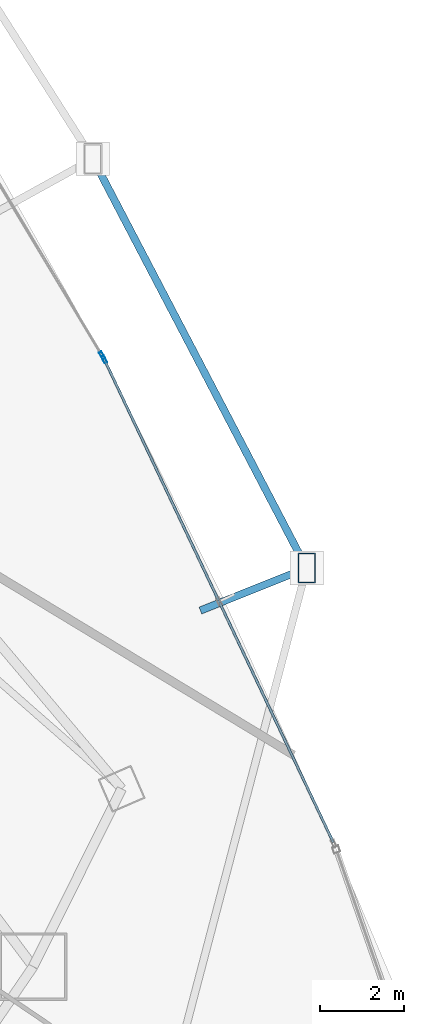
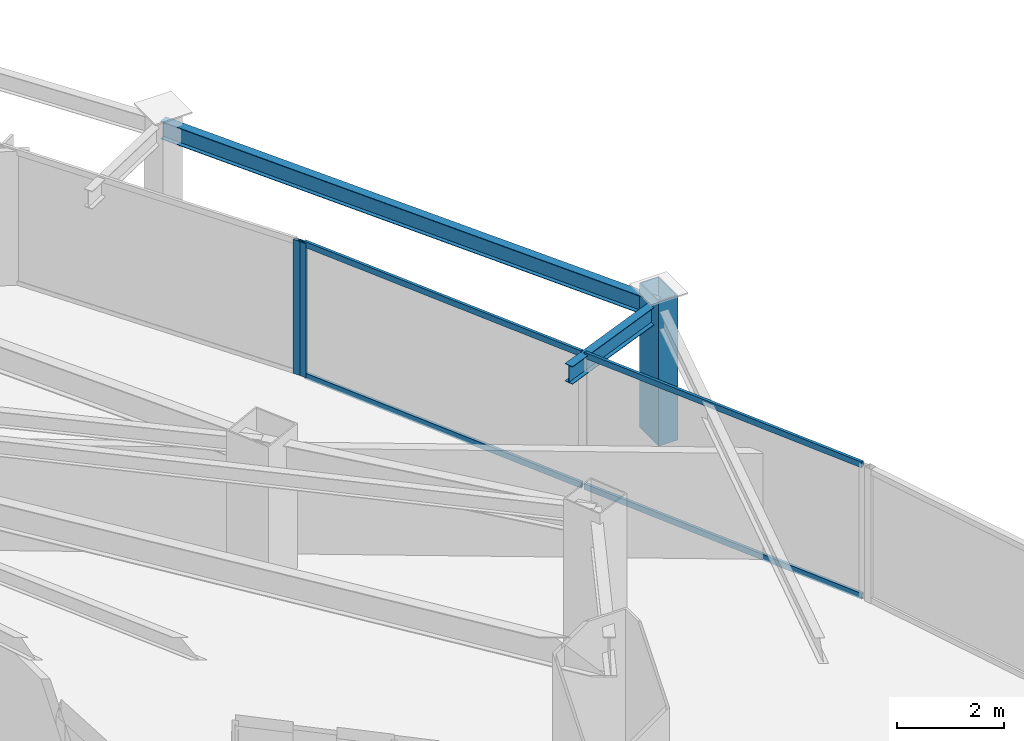
# One storey, part 21 of 38: 7 members, 2 beams, 2 elements without a shape of their own.
"""IFC4 building model written with IfcOpenShell, lengths in metres."""

import ifcopenshell
import ifcopenshell.guid

model = None  # the IFC model being written
_history = None  # IfcOwnerHistory: only IFC2X3 demands one
_inside = {}  # id of a spatial element -> (the spatial element, [elements in it])
_under = {}  # id of a project, library or spatial element -> (it, [spatial elements below it])
_declared = {}  # id of a project -> (the project, [libraries it declares])
_typed = {}  # id of a type object -> (the type object, [elements of that type])
_made_of = {}  # id of a material, layer set ... -> (it, [elements and type objects made of it])


def new_model(schema):
    """Start an empty IFC model of exactly this schema.

    Asked for "IFC4X3", IfcOpenShell would pick the latest addendum, in which some entities
    have other attributes; the version numbers below select the first issue.
    IFC2X3 requires an IfcOwnerHistory on every rooted entity: one is made here for all.
    """
    global model, _history
    if schema == "IFC4X3":
        model = ifcopenshell.file(schema_version=(4, 3, 0, 0))
    else:
        model = ifcopenshell.file(schema=schema)
    _inside.clear()
    _under.clear()
    _declared.clear()
    _typed.clear()
    _made_of.clear()
    _history = None
    if model.schema == "IFC2X3":
        org = make("IfcOrganization", Name="unknown")
        user = make(
            "IfcPersonAndOrganization",
            ThePerson=make("IfcPerson", FamilyName="unknown"),
            TheOrganization=org,
        )
        app = make(
            "IfcApplication",
            ApplicationDeveloper=org,
            Version="unknown",
            ApplicationFullName="unknown",
            ApplicationIdentifier="unknown",
        )
        _history = make(
            "IfcOwnerHistory",
            OwningUser=user,
            OwningApplication=app,
            ChangeAction="ADDED",
            CreationDate=0,
        )
    return model


def make(cls, **values):
    """One entity of the class cls with the attributes given. An attribute that is None is left unset."""
    return model.create_entity(
        cls, **{name: value for name, value in values.items() if value is not None}
    )


def rooted(cls, **values):
    """An entity with a GlobalId (a new one), such as an element, a storey or a relation."""
    return make(cls, GlobalId=ifcopenshell.guid.new(), OwnerHistory=_history, **values)


def si_unit(unit_type, name, prefix=None):
    """IfcSIUnit, for example si_unit("LENGTHUNIT", "METRE", prefix="MILLI")."""
    return make("IfcSIUnit", UnitType=unit_type, Prefix=prefix, Name=name)


def assignment(units):
    """IfcUnitAssignment: the units of a project."""
    return None if units is None else make("IfcUnitAssignment", Units=units)


def point(xyz):
    """IfcCartesianPoint."""
    return None if xyz is None else make("IfcCartesianPoint", Coordinates=xyz)


def direction(xyz):
    """IfcDirection."""
    return None if xyz is None else make("IfcDirection", DirectionRatios=xyz)


def frame(location, z_axis=None, x_axis=None):
    """IfcAxis2Placement3D, a coordinate frame: its origin and axes. An axis left out is left unset."""
    return make(
        "IfcAxis2Placement3D",
        Location=point(location),
        Axis=direction(z_axis),
        RefDirection=direction(x_axis),
    )


def frame_2d(location, x_axis=None):
    """IfcAxis2Placement2D, a coordinate frame in the plane: its origin and x axis."""
    return make(
        "IfcAxis2Placement2D", Location=point(location), RefDirection=direction(x_axis)
    )


def origin():
    """The frame at (0, 0, 0) with its axes left unset."""
    return frame((0.0, 0.0, 0.0))


def origin_2d():
    """The frame at (0, 0) in the plane with its x axis left unset."""
    return frame_2d((0.0, 0.0))


def place(relative_to, where):
    """IfcLocalPlacement: puts the frame where relative to a parent placement (None: the world)."""
    return make(
        "IfcLocalPlacement", PlacementRelTo=relative_to, RelativePlacement=where
    )


def context(
    kind, dimensions, precision=None, world=None, true_north=None, identifier=None
):
    """IfcGeometricRepresentationContext, for example the 3D "Model" context."""
    return make(
        "IfcGeometricRepresentationContext",
        ContextIdentifier=identifier,
        ContextType=kind,
        CoordinateSpaceDimension=dimensions,
        Precision=precision,
        WorldCoordinateSystem=world,
        TrueNorth=true_north,
    )


def subcontext(parent, identifier, kind, view, scale=None):
    """IfcGeometricRepresentationSubContext, for example "Body" below "Model"."""
    return make(
        "IfcGeometricRepresentationSubContext",
        ContextIdentifier=identifier,
        ContextType=kind,
        ParentContext=parent,
        TargetScale=scale,
        TargetView=view,
    )


def project(units=None, contexts=None):
    """IfcProject with its units and contexts."""
    return rooted(
        "IfcProject",
        Name="project",
        RepresentationContexts=contexts,
        UnitsInContext=assignment(units),
    )


def spatial(cls, under=None, at=None, **own):
    """A site, building, storey or space (cls), placed at a placement, below another one or the project."""
    s = rooted(cls, ObjectPlacement=at, **own)
    if under is not None:
        _under.setdefault(under.id(), (under, []))[1].append(s)
    return s


def profile(cls, at=None, kind="AREA", **sizes):
    """A parametric profile (cls). Its sizes go by their IFC names, for example OverallWidth=200.0."""
    return make(cls, ProfileType=kind, Position=at, **sizes)


def hollow_rectangle(**sizes):
    """IfcRectangleHollowProfileDef."""
    return profile("IfcRectangleHollowProfileDef", **sizes)


def i_section(**sizes):
    """IfcIShapeProfileDef."""
    return profile("IfcIShapeProfileDef", **sizes)


def extrude(swept, where, along, depth):
    """IfcExtrudedAreaSolid: the profile swept, set in the frame where, extruded along a direction by depth."""
    return make(
        "IfcExtrudedAreaSolid",
        SweptArea=swept,
        Position=where,
        ExtrudedDirection=direction(along),
        Depth=depth,
    )


def shape(context_of_items, identifier, shape_type, items):
    """IfcShapeRepresentation: the items that make up one representation, for example the "Body"."""
    return make(
        "IfcShapeRepresentation",
        ContextOfItems=context_of_items,
        RepresentationIdentifier=identifier,
        RepresentationType=shape_type,
        Items=items,
    )


def material(Name=None, Category=None):
    """IfcMaterial."""
    return make("IfcMaterial", Name=Name, Category=Category)


def layer(
    of_material, thickness, ventilated=None, Name=None, Category=None, Priority=None
):
    """IfcMaterialLayer: one layer of a wall or slab, of a material (None: an air gap)."""
    return make(
        "IfcMaterialLayer",
        Material=of_material,
        LayerThickness=thickness,
        IsVentilated=ventilated,
        Name=Name,
        Category=Category,
        Priority=Priority,
    )


def layer_set(layers, Name=None):
    """IfcMaterialLayerSet."""
    return make("IfcMaterialLayerSet", MaterialLayers=layers, LayerSetName=Name)


def material_profile(
    of_material, cross_section, Name=None, Category=None, Priority=None
):
    """IfcMaterialProfile: a cross section and its material."""
    return make(
        "IfcMaterialProfile",
        Name=Name,
        Material=of_material,
        Profile=cross_section,
        Priority=Priority,
        Category=Category,
    )


def profile_set(profiles, Name=None, composite=None):
    """IfcMaterialProfileSet."""
    return make(
        "IfcMaterialProfileSet",
        Name=Name,
        MaterialProfiles=profiles,
        CompositeProfile=composite,
    )


def made_of(thing, what):
    """Note that an element or type object is made of a material, layer set ...; save() writes the relation."""
    if what is not None:
        _made_of.setdefault(what.id(), (what, []))[1].append(thing)
    return thing


def type_object(cls, material=None, **own):
    """A type object (cls), such as IfcWallType, which elements share."""
    return made_of(rooted(cls, **own), material)


def element(
    cls,
    number,
    at=None,
    inside=None,
    cuts=None,
    type_object=None,
    material=None,
    context=None,
    identifier="Body",
    shape_type=None,
    held_by="IfcProductDefinitionShape",
    body=None,
    shapes=None,
    **own,
):
    """One element of the class cls, such as IfcWall. Its Tag is "e" and its number.

    at: its placement. inside: the storey or other place that contains it. cuts: it is an
    opening in that element (IfcRelVoidsElement). A single representation is given by context,
    identifier, shape_type and body (its items); several are given by shapes. held_by: the class
    of the entity that holds the representations. save() writes the other relations.
    """
    e = rooted(cls, Tag="e%d" % number, ObjectPlacement=at, **own)
    if body is not None:
        shapes = [shape(context, identifier, shape_type, body)]
    if shapes is not None:
        e.Representation = make(held_by, Representations=shapes)
    if inside is not None:
        _inside.setdefault(inside.id(), (inside, []))[1].append(e)
    if cuts is not None:
        rooted(
            "IfcRelVoidsElement", RelatingBuildingElement=cuts, RelatedOpeningElement=e
        )
    if type_object is not None:
        _typed.setdefault(type_object.id(), (type_object, []))[1].append(e)
    return made_of(e, material)


def aggregate(whole, parts):
    """IfcRelAggregates: a whole, such as a stair, and the parts it consists of."""
    return rooted("IfcRelAggregates", RelatingObject=whole, RelatedObjects=parts)


def save(model, path):
    """Write the relations noted so far, then the file.

    IfcRelAggregates (storeys below a building ...), IfcRelContainedInSpatialStructure (elements
    in a storey), IfcRelDefinesByType, IfcRelAssociatesMaterial and IfcRelDeclares: one each for
    every whole, place, type object, material and project.
    """
    for whole, parts in _under.values():
        aggregate(whole, parts)
    for where, things in _inside.values():
        rooted(
            "IfcRelContainedInSpatialStructure",
            RelatedElements=things,
            RelatingStructure=where,
        )
    for kind, things in _typed.values():
        rooted("IfcRelDefinesByType", RelatedObjects=things, RelatingType=kind)
    for what, things in _made_of.values():
        rooted("IfcRelAssociatesMaterial", RelatedObjects=things, RelatingMaterial=what)
    for by, libraries in _declared.values():
        rooted("IfcRelDeclares", RelatingContext=by, RelatedDefinitions=libraries)
    model.write(path)


model = new_model("IFC4")

# Units and contexts
model_context = context("Model", 3, precision=1e-05, world=origin(), true_north=direction((0.0, 1.0)))
body_context = subcontext(model_context, "Body", "Model", "MODEL_VIEW")
ifc_project = project(units=[si_unit("LENGTHUNIT", "METRE"), si_unit("AREAUNIT", "SQUARE_METRE"), si_unit("VOLUMEUNIT", "CUBIC_METRE"), si_unit("PLANEANGLEUNIT", "RADIAN"), si_unit("MASSUNIT", "GRAM", prefix="KILO")], contexts=[model_context])

# Site, building, storey
site_placement = place(None, origin())
site = spatial("IfcSite", under=ifc_project, at=site_placement, CompositionType="ELEMENT")
building_placement = place(site_placement, origin())
building = spatial("IfcBuilding", under=site, at=building_placement, Name="Orvanel Arch Residences", CompositionType="ELEMENT")
storey_placement = place(building_placement, frame((0.0, 0.0, 50.0)))
storey = spatial("IfcBuildingStorey", under=building, at=storey_placement, Name="L13", CompositionType="ELEMENT", Elevation=50.0)

# Member
ifc_material_1 = material(Name="Structural steel AS/NZS 3678 Grade 350", Category="steel")
ifc_material_profile_1 = material_profile(ifc_material_1, hollow_rectangle(XDim=0.419921875, YDim=0.719970703125, WallThickness=0.02490234375, at=origin_2d()), Name="RHS720x420x25")
ifc_profile_set_1 = profile_set([ifc_material_profile_1], Name="Structural steel AS/NZS 3678 Grade 350")
member_type_1 = type_object("IfcMemberType", Name="CH-720RHS-EXT", PredefinedType="CHORD", material=ifc_profile_set_1)
member_1_placement = place(storey_placement, frame((58.302978515625, 19.8291015625, 0.0), z_axis=(0.0, 0.0, 1.0), x_axis=(1.0, 0.0, 0.0)))
element("IfcMember", 1, at=member_1_placement, inside=storey, type_object=member_type_1, Name="L13 Outer Perimeter Frame Post 09", PredefinedType="CHORD", context=body_context, shape_type="SweptSolid", body=[
    extrude(hollow_rectangle(XDim=0.419921875, YDim=0.719970703125, WallThickness=0.02490234375, at=origin_2d()), origin(), (0.0, 0.0, 1.0), 3.300048828125),
])

# Curtain wall, member
ifc_material_2 = material(Name="Bronze-anodised aluminium AA6063-T6", Category="aluminium")
ifc_layer = layer(ifc_material_2, 0.179931640625)
ifc_layer_set = layer_set([ifc_layer], Name="Bronze-anodised aluminium AA6063-T6")
curtain_wall_type = type_object("IfcCurtainWallType", Name="CW2-LOW-SYS", PredefinedType="NOTDEFINED", material=ifc_layer_set)
curtain_wall_1_placement = place(storey_placement, origin())
curtain_wall_1 = element("IfcCurtainWall", 2, at=curtain_wall_1_placement, inside=storey, type_object=curtain_wall_type, Name="L13 CW2-LOW-SYS Unitised Curtain Wall", PredefinedType="NOTDEFINED")
ifc_material_profile_2 = material_profile(ifc_material_2, hollow_rectangle(XDim=0.070068359375, YDim=0.179931640625, WallThickness=0.00439453125, at=origin_2d()), Name="ALU180x70x4.5")
ifc_profile_set_2 = profile_set([ifc_material_profile_2], Name="Bronze-anodised aluminium AA6063-T6")
member_type_2 = type_object("IfcMemberType", Name="MUL-180x70", PredefinedType="MULLION", material=ifc_profile_set_2)
member_2_placement = place(storey_placement, frame((53.491943359375, 24.791259765625, 0.0), z_axis=(0.0, 0.0, 1.0), x_axis=(-0.903580469731, -0.42841841081, 0.0)))
member_2 = element("IfcMember", 3, at=member_2_placement, type_object=member_type_2, Name="CW-S2 mullion 3", PredefinedType="MULLION", context=body_context, shape_type="SweptSolid", body=[
    extrude(hollow_rectangle(XDim=0.070068359375, YDim=0.179931640625, WallThickness=0.00439453125, at=origin_2d()), origin(), (0.0, 0.0, 1.0), 3.06005859375),
])

curtain_wall_2_placement = place(storey_placement, origin())
curtain_wall_2 = element("IfcCurtainWall", 4, at=curtain_wall_2_placement, inside=storey, type_object=curtain_wall_type, Name="L13 CW2-LOW-SYS Unitised Curtain Wall", PredefinedType="NOTDEFINED")
member_3_placement = place(storey_placement, frame((53.43994140625, 24.887939453125, 0.0), z_axis=(0.0, 0.0, 1.0), x_axis=(-0.857569020053, -0.514368910263, 0.0)))
member_3 = element("IfcMember", 5, at=member_3_placement, type_object=member_type_2, Name="CW-S2 mullion 1", PredefinedType="MULLION", context=body_context, shape_type="SweptSolid", body=[
    extrude(hollow_rectangle(XDim=0.070068359375, YDim=0.179931640625, WallThickness=0.00439453125, at=origin_2d()), origin(), (0.0, 0.0, 1.0), 3.06005859375),
])
aggregate(curtain_wall_2, [member_3])

# Beams
ifc_material_3 = material(Name="Structural steel AS/NZS 3679.1 Grade 300 (300 MPa)", Category="steel")
ifc_material_profile_3 = material_profile(ifc_material_3, i_section(OverallWidth=0.177978515625, OverallDepth=0.406005859375, WebThickness=0.0078125, FlangeThickness=0.0126953125, at=origin_2d()), Name="410UB59.7")
ifc_profile_set_3 = profile_set([ifc_material_profile_3], Name="Structural steel AS/NZS 3679.1 Grade 300 (300 MPa)")
beam_type = type_object("IfcBeamType", Name="OB-410UB-EXT", PredefinedType="SPANDREL", material=ifc_profile_set_3)
beam_1_placement = place(storey_placement, frame((55.778076171875, 18.819091796875, 2.85693359375), z_axis=(0.928470499261, 0.371406155042, 0.0), x_axis=(-0.371406155042, 0.928470499261, 0.0)))
element("IfcBeam", 6, at=beam_1_placement, inside=storey, type_object=beam_type, Name="L13 Outer Frame Radial Tie Beam 09", PredefinedType="SPANDREL", context=body_context, shape_type="SweptSolid", body=[
    extrude(i_section(OverallWidth=0.177978515625, OverallDepth=0.406005859375, WebThickness=0.0078125, FlangeThickness=0.0126953125, at=origin_2d()), origin(), (0.0, 0.0, 1.0), 2.719482421875),
])
beam_2_placement = place(storey_placement, frame((58.302978515625, 19.8291015625, 2.85693359375), z_axis=(-0.462891303779, 0.886415050011, 0.0), x_axis=(-0.886415050011, -0.462891303779, 0.0)))
element("IfcBeam", 7, at=beam_2_placement, inside=storey, type_object=beam_type, Name="L13 Outer Perimeter Floor Ring Beam 09", PredefinedType="SPANDREL", context=body_context, shape_type="SweptSolid", body=[
    extrude(i_section(OverallWidth=0.177978515625, OverallDepth=0.406005859375, WebThickness=0.0078125, FlangeThickness=0.0126953125, at=origin_2d()), origin(), (0.0, 0.0, 1.0), 10.976806640625),
])

# Member
ifc_material_profile_4 = material_profile(ifc_material_2, hollow_rectangle(XDim=0.06005859375, YDim=0.135009765625, WallThickness=0.00390625, at=origin_2d()), Name="ALU135x60x4")
ifc_profile_set_4 = profile_set([ifc_material_profile_4], Name="Bronze-anodised aluminium AA6063-T6")
member_type_3 = type_object("IfcMemberType", Name="TRN-135x60", PredefinedType="USERDEFINED", material=ifc_profile_set_4)
member_4_placement = place(storey_placement, frame((58.93701171875, 13.30712890625, 0.030029296875), z_axis=(-0.428397709011, 0.903590284871, 0.0), x_axis=(-0.903590284871, -0.428397709011, 0.0)))
member_4 = element("IfcMember", 8, at=member_4_placement, type_object=member_type_3, Name="CW-S2 transom 1.1", ObjectType="TRANSOM", PredefinedType="USERDEFINED", context=body_context, shape_type="SweptSolid", body=[
    extrude(hollow_rectangle(XDim=0.06005859375, YDim=0.135009765625, WallThickness=0.00390625, at=origin_2d()), origin(), (0.0, 0.0, 1.0), 6.302490234375),
])

member_5_placement = place(storey_placement, frame((58.93701171875, 13.30712890625, 3.030029296875), z_axis=(-0.428397709011, 0.903590284871, 0.0), x_axis=(-0.903590284871, -0.428397709011, 0.0)))
member_5 = element("IfcMember", 9, at=member_5_placement, type_object=member_type_3, Name="CW-S2 transom 1.2", ObjectType="TRANSOM", PredefinedType="USERDEFINED", context=body_context, shape_type="SweptSolid", body=[
    extrude(hollow_rectangle(XDim=0.06005859375, YDim=0.135009765625, WallThickness=0.00390625, at=origin_2d()), origin(), (0.0, 0.0, 1.0), 6.302490234375),
])

member_6_placement = place(storey_placement, frame((56.20703125, 19.065185546875, 0.030029296875), z_axis=(-0.428412704598, 0.903583175219, 0.0), x_axis=(-0.903583175219, -0.428412704598, 0.0)))
member_6 = element("IfcMember", 10, at=member_6_placement, type_object=member_type_3, Name="CW-S2 transom 2.1", ObjectType="TRANSOM", PredefinedType="USERDEFINED", context=body_context, shape_type="SweptSolid", body=[
    extrude(hollow_rectangle(XDim=0.06005859375, YDim=0.135009765625, WallThickness=0.00390625, at=origin_2d()), origin(), (0.0, 0.0, 1.0), 6.30224609375),
])

member_7_placement = place(storey_placement, frame((56.20703125, 19.065185546875, 3.030029296875), z_axis=(-0.428412704598, 0.903583175219, 0.0), x_axis=(-0.903583175219, -0.428412704598, 0.0)))
member_7 = element("IfcMember", 11, at=member_7_placement, type_object=member_type_3, Name="CW-S2 transom 2.2", ObjectType="TRANSOM", PredefinedType="USERDEFINED", context=body_context, shape_type="SweptSolid", body=[
    extrude(hollow_rectangle(XDim=0.06005859375, YDim=0.135009765625, WallThickness=0.00390625, at=origin_2d()), origin(), (0.0, 0.0, 1.0), 6.30224609375),
])

aggregate(curtain_wall_1, [member_2, member_4, member_5, member_6, member_7])

save(model, "model.ifc")
